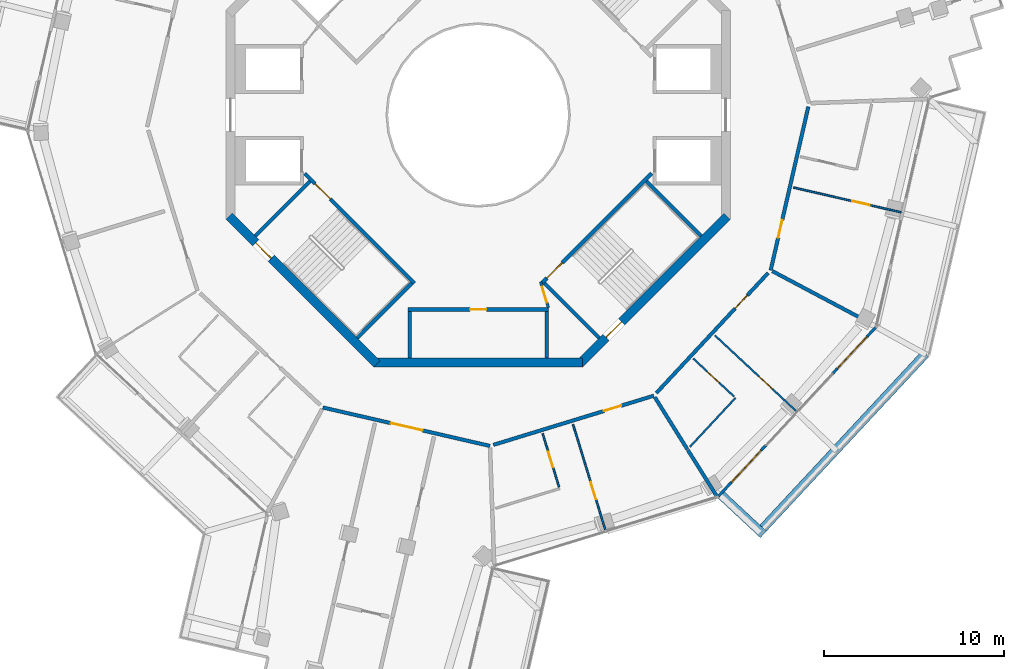
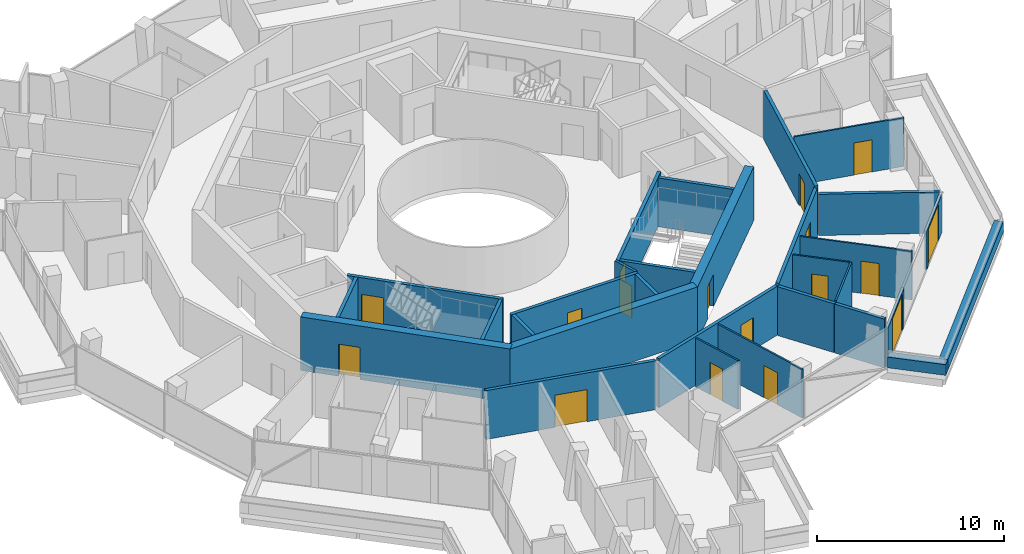
# One storey, part 15 of 21: 30 walls, 17 doors, 17 openings.
"""IFC4 building model written with IfcOpenShell, lengths in metres."""

from ifc_helpers import new_model, si_unit, direction, frame, frame_2d, origin, place, context, subcontext, project, spatial, rectangle, extrude, material, layer, layer_set, type_object, element, fill, save


model = new_model("IFC4")

# Units and contexts
model_context = context("Model", 3, precision=1e-05, world=origin(), true_north=direction((0.0, 1.0)))
body_context = subcontext(model_context, "Body", "Model", "MODEL_VIEW")
ifc_project = project(units=[si_unit("LENGTHUNIT", "METRE"), si_unit("AREAUNIT", "SQUARE_METRE"), si_unit("VOLUMEUNIT", "CUBIC_METRE"), si_unit("PLANEANGLEUNIT", "RADIAN"), si_unit("MASSUNIT", "GRAM", prefix="KILO")], contexts=[model_context])

# Site, building, storey
site_placement = place(None, origin())
site = spatial("IfcSite", under=ifc_project, at=site_placement, CompositionType="ELEMENT")
building_placement = place(site_placement, origin())
building = spatial("IfcBuilding", under=site, at=building_placement, Name="Verdalira Terraces Hotel", CompositionType="ELEMENT")
storey_placement = place(building_placement, frame((0.0, 0.0, 227.0)))
storey = spatial("IfcBuildingStorey", under=building, at=storey_placement, Name="L55", CompositionType="ELEMENT", Elevation=227.0)

# Walls
ifc_material_1 = material(Name="Concrete C40", Category="concrete")
ifc_layer_1 = layer(ifc_material_1, 0.5)
ifc_layer_set_1 = layer_set([ifc_layer_1], Name="Balcony planter trough with tree")
wall_type_1 = type_object("IfcWallType", Name="Balcony planter trough with tree", PredefinedType="SOLIDWALL", material=ifc_layer_set_1)
wall_1_placement = place(storey_placement, frame((13.494385, -21.106445, 0.0), z_axis=(0.0, 0.0, 1.0), x_axis=(0.731844096, -0.681472097, 0.0)))
element("IfcWall", 1, at=wall_1_placement, inside=storey, type_object=wall_type_1, Name="Balcony planter", PredefinedType="SOLIDWALL", context=body_context, shape_type="SweptSolid", body=[
    extrude(rectangle(XDim=3.198975, YDim=0.5, at=frame_2d((1.599609, 0.0))), origin(), (0.0, 0.0, 1.0), 0.699951),
])
wall_2_placement = place(storey_placement, frame((15.822998, -22.933105, 0.0), z_axis=(0.0, 0.0, 1.0), x_axis=(0.681484345, 0.731832691, 0.0)))
element("IfcWall", 2, at=wall_2_placement, inside=storey, type_object=wall_type_1, Name="Balcony planter", PredefinedType="SOLIDWALL", context=body_context, shape_type="SweptSolid", body=[
    extrude(rectangle(XDim=13.223389, YDim=0.5, at=frame_2d((6.611816, 0.0))), origin(), (0.0, 0.0, 1.0), 0.699951),
])

# Wall, opening, door
ifc_material_2 = material(Name="Moisture-resistant gypsum board partition")
ifc_layer_2 = layer(ifc_material_2, 0.10009765625)
ifc_layer_set_2 = layer_set([ifc_layer_2], Name="Bathroom partition 100 mm")
wall_type_2 = type_object("IfcWallType", Name="Bathroom partition 100 mm", PredefinedType="PARTITIONING", material=ifc_layer_set_2)
wall_3_placement = place(storey_placement, frame((4.489746, -20.64917, 0.0), z_axis=(0.0, 0.0, 1.0), x_axis=(-0.293050781, 0.956096878, 0.0)))
wall_3 = element("IfcWall", 3, at=wall_3_placement, inside=storey, type_object=wall_type_2, Name="Bathroom partition", PredefinedType="PARTITIONING", context=body_context, shape_type="SweptSolid", body=[
    extrude(rectangle(XDim=3.099854, YDim=0.100098, at=frame_2d((1.549805, 0.0))), origin(), (0.0, 0.0, 1.0), 3.189941),
])
opening_1_placement = place(wall_3_placement, frame((1.149902, 0.0, 0.0)))
opening_1 = element("IfcOpeningElement", 4, at=opening_1_placement, cuts=wall_3, Name="Opening L55-117", PredefinedType="OPENING", context=body_context, shape_type="SweptSolid", body=[
    extrude(rectangle(XDim=0.899902, YDim=2.100098, at=frame_2d((0.449951, 1.050049))), frame((0.0, 0.060059, 0.0), z_axis=(0.0, -1.0, 0.0), x_axis=(1.0, 0.0, 0.0)), (0.0, 0.0, 1.0), 0.120117),
])
ifc_material_3 = material(Name="Timber door", Category="wood")
door_type_1 = type_object("IfcDoorType", Name="Bathroom door 900 x 2100", OperationType="NOTDEFINED", PredefinedType="DOOR", material=ifc_material_3)
door_1_placement = place(opening_1_placement, origin())
door_1 = element("IfcDoor", 5, at=door_1_placement, inside=storey, type_object=door_type_1, Name="Bathroom door 5506", OperationType="SINGLE_SWING_LEFT", OverallHeight=2.10009765625, OverallWidth=0.89990234375, PredefinedType="DOOR", context=body_context, shape_type="SweptSolid", body=[
    extrude(rectangle(XDim=0.899902, YDim=2.100098, at=frame_2d((0.449951, 1.050049))), frame((0.0, 0.024902, 0.0), z_axis=(0.0, -1.0, 0.0), x_axis=(1.0, 0.0, 0.0)), (0.0, 0.0, 1.0), 0.050049),
])
fill(opening_1, door_1)

wall_4_placement = place(storey_placement, frame((7.064697, -23.050049, 0.0), z_axis=(0.0, 0.0, 1.0), x_axis=(-0.293042397, 0.956099448, 0.0)))
wall_4 = element("IfcWall", 6, at=wall_4_placement, inside=storey, type_object=wall_type_2, Name="Bathroom partition", PredefinedType="PARTITIONING", context=body_context, shape_type="SweptSolid", body=[
    extrude(rectangle(XDim=6.150146, YDim=0.100098, at=frame_2d((3.075195, 0.0))), origin(), (0.0, 0.0, 1.0), 3.189941),
])
opening_2_placement = place(wall_4_placement, frame((1.800049, 0.0, 0.0)))
opening_2 = element("IfcOpeningElement", 7, at=opening_2_placement, cuts=wall_4, Name="Opening L55-116", PredefinedType="OPENING", context=body_context, shape_type="SweptSolid", body=[
    extrude(rectangle(XDim=1.0, YDim=2.100098, at=frame_2d((0.5, 1.050049))), frame((0.0, 0.060059, 0.0), z_axis=(0.0, -1.0, 0.0), x_axis=(1.0, 0.0, 0.0)), (0.0, 0.0, 1.0), 0.120117),
])
ifc_material_4 = material(Name="Timber door", Category="wood")
door_type_2 = type_object("IfcDoorType", Name="Suite internal door 1000 x 2100", OperationType="NOTDEFINED", PredefinedType="DOOR", material=ifc_material_4)
door_2_placement = place(opening_2_placement, origin())
door_2 = element("IfcDoor", 8, at=door_2_placement, inside=storey, type_object=door_type_2, Name="Suite internal door 5506", OperationType="SINGLE_SWING_LEFT", OverallHeight=2.10009765625, OverallWidth=1.0, PredefinedType="DOOR", context=body_context, shape_type="SweptSolid", body=[
    extrude(rectangle(XDim=1.0, YDim=2.100098, at=frame_2d((0.5, 1.050049))), frame((0.0, 0.024902, 0.0), z_axis=(0.0, -1.0, 0.0), x_axis=(1.0, 0.0, 0.0)), (0.0, 0.0, 1.0), 0.050049),
])
fill(opening_2, door_2)

# Wall
wall_5_placement = place(storey_placement, frame((11.761719, -18.416504, 0.0), z_axis=(0.0, 0.0, 1.0), x_axis=(0.681479401, 0.731837295, 0.0)))
element("IfcWall", 9, at=wall_5_placement, inside=storey, type_object=wall_type_2, Name="Bathroom partition", PredefinedType="PARTITIONING", context=body_context, shape_type="SweptSolid", body=[
    extrude(rectangle(XDim=3.703857, YDim=0.100098, at=frame_2d((1.852051, 0.0))), origin(), (0.0, 0.0, 1.0), 3.189941),
])

# Wall, opening, door
wall_6_placement = place(storey_placement, frame((14.212891, -15.637695, 0.0), z_axis=(0.0, 0.0, 1.0), x_axis=(-0.73185876, 0.681456349, 0.0)))
wall_6 = element("IfcWall", 10, at=wall_6_placement, inside=storey, type_object=wall_type_2, Name="Bathroom partition", PredefinedType="PARTITIONING", context=body_context, shape_type="SweptSolid", body=[
    extrude(rectangle(XDim=3.100098, YDim=0.100098, at=frame_2d((1.550049, 0.0))), origin(), (0.0, 0.0, 1.0), 3.189941),
])
opening_3_placement = place(wall_6_placement, frame((1.149902, 0.0, 0.0)))
opening_3 = element("IfcOpeningElement", 11, at=opening_3_placement, cuts=wall_6, Name="Opening L55-120", PredefinedType="OPENING", context=body_context, shape_type="SweptSolid", body=[
    extrude(rectangle(XDim=0.899902, YDim=2.100098, at=frame_2d((0.449951, 1.050049))), frame((0.0, 0.060059, 0.0), z_axis=(0.0, -1.0, 0.0), x_axis=(1.0, 0.0, 0.0)), (0.0, 0.0, 1.0), 0.120117),
])
door_3_placement = place(opening_3_placement, origin())
door_3 = element("IfcDoor", 12, at=door_3_placement, inside=storey, type_object=door_type_1, Name="Bathroom door 5507", OperationType="SINGLE_SWING_LEFT", OverallHeight=2.10009765625, OverallWidth=0.89990234375, PredefinedType="DOOR", context=body_context, shape_type="SweptSolid", body=[
    extrude(rectangle(XDim=0.899902, YDim=2.100098, at=frame_2d((0.449951, 1.050049))), frame((0.0, 0.024902, 0.0), z_axis=(0.0, -1.0, 0.0), x_axis=(1.0, 0.0, 0.0)), (0.0, 0.0, 1.0), 0.050049),
])
fill(opening_3, door_3)

wall_7_placement = place(storey_placement, frame((17.643311, -16.429443, 0.0), z_axis=(0.0, 0.0, 1.0), x_axis=(-0.731845502, 0.681470587, 0.0)))
wall_7 = element("IfcWall", 13, at=wall_7_placement, inside=storey, type_object=wall_type_2, Name="Bathroom partition", PredefinedType="PARTITIONING", context=body_context, shape_type="SweptSolid", body=[
    extrude(rectangle(XDim=6.150146, YDim=0.100098, at=frame_2d((3.075195, 0.0))), origin(), (0.0, 0.0, 1.0), 3.189941),
])
opening_4_placement = place(wall_7_placement, frame((1.800049, 0.0, 0.0)))
opening_4 = element("IfcOpeningElement", 14, at=opening_4_placement, cuts=wall_7, Name="Opening L55-119", PredefinedType="OPENING", context=body_context, shape_type="SweptSolid", body=[
    extrude(rectangle(XDim=1.0, YDim=2.100098, at=frame_2d((0.5, 1.050049))), frame((0.0, 0.060059, 0.0), z_axis=(0.0, -1.0, 0.0), x_axis=(1.0, 0.0, 0.0)), (0.0, 0.0, 1.0), 0.120117),
])
door_4_placement = place(opening_4_placement, origin())
door_4 = element("IfcDoor", 15, at=door_4_placement, inside=storey, type_object=door_type_2, Name="Suite internal door 5507", OperationType="SINGLE_SWING_LEFT", OverallHeight=2.10009765625, OverallWidth=1.0, PredefinedType="DOOR", context=body_context, shape_type="SweptSolid", body=[
    extrude(rectangle(XDim=1.0, YDim=2.100098, at=frame_2d((0.5, 1.050049))), frame((0.0, 0.024902, 0.0), z_axis=(0.0, -1.0, 0.0), x_axis=(1.0, 0.0, 0.0)), (0.0, 0.0, 1.0), 0.050049),
])
fill(opening_4, door_4)

wall_8_placement = place(storey_placement, frame((17.500977, -4.027588, 0.0), z_axis=(0.0, 0.0, 1.0), x_axis=(0.974529511, -0.224259296, 0.0)))
wall_8 = element("IfcWall", 16, at=wall_8_placement, inside=storey, type_object=wall_type_2, Name="Bathroom partition", PredefinedType="PARTITIONING", context=body_context, shape_type="SweptSolid", body=[
    extrude(rectangle(XDim=6.149902, YDim=0.100098, at=frame_2d((3.074951, 0.0))), origin(), (0.0, 0.0, 1.0), 3.189941),
])
opening_5_placement = place(wall_8_placement, frame((3.350098, 0.0, 0.0)))
opening_5 = element("IfcOpeningElement", 17, at=opening_5_placement, cuts=wall_8, Name="Opening L55-122", PredefinedType="OPENING", context=body_context, shape_type="SweptSolid", body=[
    extrude(rectangle(XDim=1.0, YDim=2.100098, at=frame_2d((0.5, 1.050049))), frame((0.0, 0.060059, 0.0), z_axis=(0.0, -1.0, 0.0), x_axis=(1.0, 0.0, 0.0)), (0.0, 0.0, 1.0), 0.120117),
])
door_5_placement = place(opening_5_placement, origin())
door_5 = element("IfcDoor", 18, at=door_5_placement, inside=storey, type_object=door_type_2, Name="Suite internal door 5508", OperationType="SINGLE_SWING_LEFT", OverallHeight=2.10009765625, OverallWidth=1.0, PredefinedType="DOOR", context=body_context, shape_type="SweptSolid", body=[
    extrude(rectangle(XDim=1.0, YDim=2.100098, at=frame_2d((0.5, 1.050049))), frame((0.0, 0.024902, 0.0), z_axis=(0.0, -1.0, 0.0), x_axis=(1.0, 0.0, 0.0)), (0.0, 0.0, 1.0), 0.050049),
])
fill(opening_5, door_5)

ifc_material_5 = material(Name="Concrete C50", Category="concrete")
ifc_layer_3 = layer(ifc_material_5, 0.199951171875)
ifc_layer_set_3 = layer_set([ifc_layer_3], Name="Core RC wall 200 C50")
wall_type_3 = type_object("IfcWallType", Name="Core RC wall 200 C50", PredefinedType="SOLIDWALL", material=ifc_layer_set_3)
wall_9_placement = place(storey_placement, frame((-3.899902, -10.800049, 0.0), z_axis=(0.0, 0.0, 1.0), x_axis=(1.0, 0.0, 0.0)))
wall_9 = element("IfcWall", 19, at=wall_9_placement, inside=storey, type_object=wall_type_3, Name="L55 store front wall", PredefinedType="SOLIDWALL", context=body_context, shape_type="SweptSolid", body=[
    extrude(rectangle(XDim=7.799805, YDim=0.199951, at=frame_2d((3.899902, 0.0))), origin(), (0.0, 0.0, 1.0), 3.189941),
])
opening_6_placement = place(wall_9_placement, frame((3.449951, 0.0, 0.0)))
opening_6 = element("IfcOpeningElement", 20, at=opening_6_placement, cuts=wall_9, Name="Opening L55-801", PredefinedType="OPENING", context=body_context, shape_type="SweptSolid", body=[
    extrude(rectangle(XDim=0.899902, YDim=2.100098, at=frame_2d((0.449951, 1.050049))), frame((0.0, 0.109863, 0.0), z_axis=(0.0, -1.0, 0.0), x_axis=(1.0, 0.0, 0.0)), (0.0, 0.0, 1.0), 0.219971),
])
ifc_material_6 = material(Name="Steel fire door", Category="steel")
door_type_3 = type_object("IfcDoorType", Name="Core room door 900 x 2100", OperationType="NOTDEFINED", PredefinedType="DOOR", material=ifc_material_6)
door_6_placement = place(opening_6_placement, origin())
door_6 = element("IfcDoor", 21, at=door_6_placement, inside=storey, type_object=door_type_3, Name="Store door L55 SS", OperationType="SINGLE_SWING_LEFT", OverallHeight=2.10009765625, OverallWidth=0.89990234375, PredefinedType="DOOR", context=body_context, shape_type="SweptSolid", body=[
    extrude(rectangle(XDim=0.899902, YDim=2.100098, at=frame_2d((0.449951, 1.050049))), frame((0.0, 0.024902, 0.0), z_axis=(0.0, -1.0, 0.0), x_axis=(1.0, 0.0, 0.0)), (0.0, 0.0, 1.0), 0.050049),
])
fill(opening_6, door_6)

# Walls
for number, where, z_axis, x_axis, name in (
    (22, (-3.800049, -10.899902, 0.0), (0.0, 0.0, 1.0), (0.0, -1.0, 0.0), "L55 store side wall"),
    (23, (3.800049, -10.899902, 0.0), (0.0, 0.0, 1.0), (0.0, -1.0, 0.0), "L55 store side wall"),
):
    element("IfcWall", number, at=place(storey_placement, frame(where, z_axis=z_axis, x_axis=x_axis)), inside=storey, type_object=wall_type_3, Name=name, PredefinedType="SOLIDWALL", context=body_context, shape_type="SweptSolid", body=[
        extrude(rectangle(XDim=2.600098, YDim=0.199951, at=frame_2d((1.300049, 0.0))), origin(), (0.0, 0.0, 1.0), 3.189941),
    ])

# Wall, opening, door
wall_10_placement = place(storey_placement, frame((-3.5354, -9.33374, 0.0), z_axis=(0.0, 0.0, 1.0), x_axis=(-0.707120946, 0.707092617, 0.0)))
wall_10 = element("IfcWall", 24, at=wall_10_placement, inside=storey, type_object=wall_type_3, Name="L55 stair ST2 front wall", PredefinedType="SOLIDWALL", context=body_context, shape_type="SweptSolid", body=[
    extrude(rectangle(XDim=8.61792, YDim=0.199951, at=frame_2d((4.309082, 0.0))), origin(), (0.0, 0.0, 1.0), 3.189941),
])
opening_7_placement = place(wall_10_placement, frame((6.600098, 0.0, 0.0)))
opening_7 = element("IfcOpeningElement", 25, at=opening_7_placement, cuts=wall_10, Name="Opening L55-811", PredefinedType="OPENING", context=body_context, shape_type="SweptSolid", body=[
    extrude(rectangle(XDim=1.199951, YDim=2.100098, at=frame_2d((0.600098, 1.050049))), frame((0.0, 0.109863, 0.0), z_axis=(0.0, -1.0, 0.0), x_axis=(1.0, 0.0, 0.0)), (0.0, 0.0, 1.0), 0.219971),
])
ifc_material_7 = material(Name="Steel fire door", Category="steel")
door_type_4 = type_object("IfcDoorType", Name="Stair door 1200 x 2100", OperationType="NOTDEFINED", PredefinedType="DOOR", material=ifc_material_7)
door_7_placement = place(opening_7_placement, origin())
door_7 = element("IfcDoor", 26, at=door_7_placement, inside=storey, type_object=door_type_4, Name="Stair door ST2 L55", OperationType="SINGLE_SWING_RIGHT", OverallHeight=2.10009765625, OverallWidth=1.199951171875, PredefinedType="DOOR", context=body_context, shape_type="SweptSolid", body=[
    extrude(rectangle(XDim=1.199951, YDim=2.100098, at=frame_2d((0.600098, 1.050049))), frame((0.0, 0.024902, 0.0), z_axis=(0.0, -1.0, 0.0), x_axis=(1.0, 0.0, 0.0)), (0.0, 0.0, 1.0), 0.050049),
])
fill(opening_7, door_7)

# Walls
for number, where, z_axis, x_axis, name in (
    (27, (-9.33374, -3.677002, 0.0), (0.0, 0.0, 1.0), (-0.707135168, -0.707078393, 0.0), "L55 stair ST2 end wall 1"),
    (28, (-3.677002, -9.33374, 0.0), (0.0, 0.0, 1.0), (-0.707078393, -0.707135168, 0.0), "L55 stair ST2 end wall 2"),
):
    element("IfcWall", number, at=place(storey_placement, frame(where, z_axis=z_axis, x_axis=x_axis)), inside=storey, type_object=wall_type_3, Name=name, PredefinedType="SOLIDWALL", context=body_context, shape_type="SweptSolid", body=[
        extrude(rectangle(XDim=4.300049, YDim=0.199951, at=frame_2d((2.149902, 0.0))), origin(), (0.0, 0.0, 1.0), 3.189941),
    ])

# Wall, opening, door
wall_11_placement = place(storey_placement, frame((9.629395, -3.23999, 0.0), z_axis=(0.0, 0.0, 1.0), x_axis=(-0.707120946, -0.707092617, 0.0)))
wall_11 = element("IfcWall", 29, at=wall_11_placement, inside=storey, type_object=wall_type_3, Name="L55 stair ST3 front wall", PredefinedType="SOLIDWALL", context=body_context, shape_type="SweptSolid", body=[
    extrude(rectangle(XDim=8.61792, YDim=0.199951, at=frame_2d((4.309082, 0.0))), origin(), (0.0, 0.0, 1.0), 3.189941),
])
opening_8_placement = place(wall_11_placement, frame((7.017822, 0.0, 0.0)))
opening_8 = element("IfcOpeningElement", 30, at=opening_8_placement, cuts=wall_11, Name="Opening L55-812", PredefinedType="OPENING", context=body_context, shape_type="SweptSolid", body=[
    extrude(rectangle(XDim=1.199951, YDim=2.100098, at=frame_2d((0.600098, 1.050049))), frame((0.0, 0.109863, 0.0), z_axis=(0.0, -1.0, 0.0), x_axis=(1.0, 0.0, 0.0)), (0.0, 0.0, 1.0), 0.219971),
])
door_8_placement = place(opening_8_placement, origin())
door_8 = element("IfcDoor", 31, at=door_8_placement, inside=storey, type_object=door_type_4, Name="Stair door ST3 L55", OperationType="SINGLE_SWING_RIGHT", OverallHeight=2.10009765625, OverallWidth=1.199951171875, PredefinedType="DOOR", context=body_context, shape_type="SweptSolid", body=[
    extrude(rectangle(XDim=1.199951, YDim=2.100098, at=frame_2d((0.600098, 1.050049))), frame((0.0, 0.024902, 0.0), z_axis=(0.0, -1.0, 0.0), x_axis=(1.0, 0.0, 0.0)), (0.0, 0.0, 1.0), 0.050049),
])
fill(opening_8, door_8)

# Walls
for number, where, z_axis, x_axis, name in (
    (32, (3.677002, -9.33374, 0.0), (0.0, 0.0, 1.0), (0.707078393, -0.707135168, 0.0), "L55 stair ST3 end wall 1"),
    (33, (9.33374, -3.677002, 0.0), (0.0, 0.0, 1.0), (0.707135168, -0.707078393, 0.0), "L55 stair ST3 end wall 2"),
):
    element("IfcWall", number, at=place(storey_placement, frame(where, z_axis=z_axis, x_axis=x_axis)), inside=storey, type_object=wall_type_3, Name=name, PredefinedType="SOLIDWALL", context=body_context, shape_type="SweptSolid", body=[
        extrude(rectangle(XDim=4.300049, YDim=0.199951, at=frame_2d((2.149902, 0.0))), origin(), (0.0, 0.0, 1.0), 3.189941),
    ])

# Wall, opening, door
ifc_material_8 = material(Name="Gypsum board partition")
ifc_layer_4 = layer(ifc_material_8, 0.14990234375)
ifc_layer_set_4 = layer_set([ifc_layer_4], Name="Core partition 150 mm")
wall_type_4 = type_object("IfcWallType", Name="Core partition 150 mm", PredefinedType="PARTITIONING", material=ifc_layer_set_4)
wall_12_placement = place(storey_placement, frame((3.899902, -10.699951, 0.0), z_axis=(0.0, 0.0, 1.0), x_axis=(-0.289808785, 0.957084567, 0.0)))
wall_12 = element("IfcWall", 34, at=wall_12_placement, inside=storey, type_object=wall_type_4, Name="Room partition L55", PredefinedType="PARTITIONING", context=body_context, shape_type="SweptSolid", body=[
    extrude(rectangle(XDim=1.501221, YDim=0.149902, at=frame_2d((0.750488, 0.0))), origin(), (0.0, 0.0, 1.0), 3.189941),
])
opening_9_placement = place(wall_12_placement, frame((0.300781, 0.0, 0.0)))
opening_9 = element("IfcOpeningElement", 35, at=opening_9_placement, cuts=wall_12, Name="Opening L55-822", PredefinedType="OPENING", context=body_context, shape_type="SweptSolid", body=[
    extrude(rectangle(XDim=0.899902, YDim=2.100098, at=frame_2d((0.449951, 1.050049))), frame((0.0, 0.084961, 0.0), z_axis=(0.0, -1.0, 0.0), x_axis=(1.0, 0.0, 0.0)), (0.0, 0.0, 1.0), 0.169922),
])
door_9_placement = place(opening_9_placement, origin())
door_9 = element("IfcDoor", 36, at=door_9_placement, inside=storey, type_object=door_type_3, Name="Door L55 room6", OperationType="SINGLE_SWING_LEFT", OverallHeight=2.10009765625, OverallWidth=0.89990234375, PredefinedType="DOOR", context=body_context, shape_type="SweptSolid", body=[
    extrude(rectangle(XDim=0.899902, YDim=2.100098, at=frame_2d((0.449951, 1.050049))), frame((0.0, 0.024902, 0.0), z_axis=(0.0, -1.0, 0.0), x_axis=(1.0, 0.0, 0.0)), (0.0, 0.0, 1.0), 0.050049),
])
fill(opening_9, door_9)

ifc_material_9 = material(Name="Concrete C50", Category="concrete")
ifc_layer_5 = layer(ifc_material_9, 0.5)
ifc_layer_set_5 = layer_set([ifc_layer_5], Name="Core wall 500 C50")
wall_type_5 = type_object("IfcWallType", Name="Core wall 500 C50", PredefinedType="SHEAR", material=ifc_layer_set_5)
wall_13_placement = place(storey_placement, frame((-13.823242, -5.622314, 0.0), z_axis=(0.0, 0.0, 1.0), x_axis=(0.707106781, -0.707106781, 0.0)))
wall_13 = element("IfcWall", 37, at=wall_13_placement, inside=storey, type_object=wall_type_5, Name="Core wall CW-L55-6", PredefinedType="SHEAR", context=body_context, shape_type="SweptSolid", body=[
    extrude(rectangle(XDim=11.5979, YDim=0.5, at=frame_2d((5.798828, 0.0))), origin(), (0.0, 0.0, 1.0), 3.5),
])
opening_10_placement = place(wall_13_placement, frame((2.099121, 0.0, 0.0)))
opening_10 = element("IfcOpeningElement", 38, at=opening_10_placement, cuts=wall_13, Name="Opening L55-817", PredefinedType="OPENING", context=body_context, shape_type="SweptSolid", body=[
    extrude(rectangle(XDim=1.199951, YDim=2.100098, at=frame_2d((0.600098, 1.050049))), frame((0.0, 0.26001, 0.0), z_axis=(0.0, -1.0, 0.0), x_axis=(1.0, 0.0, 0.0)), (0.0, 0.0, 1.0), 0.52002),
])
door_10_placement = place(opening_10_placement, origin())
door_10 = element("IfcDoor", 39, at=door_10_placement, inside=storey, type_object=door_type_4, Name="Stair exit door ST2 L55", OperationType="SINGLE_SWING_LEFT", OverallHeight=2.10009765625, OverallWidth=1.199951171875, PredefinedType="DOOR", context=body_context, shape_type="SweptSolid", body=[
    extrude(rectangle(XDim=1.199951, YDim=2.100098, at=frame_2d((0.600098, 1.050049))), frame((0.0, 0.024902, 0.0), z_axis=(0.0, -1.0, 0.0), x_axis=(1.0, 0.0, 0.0)), (0.0, 0.0, 1.0), 0.050049),
])
fill(opening_10, door_10)

# Wall
wall_14_placement = place(storey_placement, frame((-5.799072, -13.75, 0.0), z_axis=(0.0, 0.0, 1.0), x_axis=(1.0, 0.0, 0.0)))
element("IfcWall", 40, at=wall_14_placement, inside=storey, type_object=wall_type_5, Name="Core wall CW-L55-7", PredefinedType="SHEAR", context=body_context, shape_type="SweptSolid", body=[
    extrude(rectangle(XDim=11.598145, YDim=0.5, at=frame_2d((5.799072, 0.0))), origin(), (0.0, 0.0, 1.0), 3.5),
])

# Wall, opening, door
wall_15_placement = place(storey_placement, frame((5.622314, -13.823242, 0.0), z_axis=(0.0, 0.0, 1.0), x_axis=(0.707106781, 0.707106781, 0.0)))
wall_15 = element("IfcWall", 41, at=wall_15_placement, inside=storey, type_object=wall_type_5, Name="Core wall CW-L55-8", PredefinedType="SHEAR", context=body_context, shape_type="SweptSolid", body=[
    extrude(rectangle(XDim=11.5979, YDim=0.5, at=frame_2d((5.798828, 0.0))), origin(), (0.0, 0.0, 1.0), 3.5),
])
opening_11_placement = place(wall_15_placement, frame((2.099121, 0.0, 0.0)))
opening_11 = element("IfcOpeningElement", 42, at=opening_11_placement, cuts=wall_15, Name="Opening L55-818", PredefinedType="OPENING", context=body_context, shape_type="SweptSolid", body=[
    extrude(rectangle(XDim=1.199951, YDim=2.100098, at=frame_2d((0.600098, 1.050049))), frame((0.0, 0.26001, 0.0), z_axis=(0.0, -1.0, 0.0), x_axis=(1.0, 0.0, 0.0)), (0.0, 0.0, 1.0), 0.52002),
])
door_11_placement = place(opening_11_placement, origin())
door_11 = element("IfcDoor", 43, at=door_11_placement, inside=storey, type_object=door_type_4, Name="Stair exit door ST3 L55", OperationType="SINGLE_SWING_LEFT", OverallHeight=2.10009765625, OverallWidth=1.199951171875, PredefinedType="DOOR", context=body_context, shape_type="SweptSolid", body=[
    extrude(rectangle(XDim=1.199951, YDim=2.100098, at=frame_2d((0.600098, 1.050049))), frame((0.0, 0.024902, 0.0), z_axis=(0.0, -1.0, 0.0), x_axis=(1.0, 0.0, 0.0)), (0.0, 0.0, 1.0), 0.050049),
])
fill(opening_11, door_11)

# Walls
ifc_material_10 = material(Name="Fire-rated gypsum board wall")
ifc_layer_6 = layer(ifc_material_10, 0.199951171875)
ifc_layer_set_6 = layer_set([ifc_layer_6], Name="Demising wall 200 mm")
wall_type_6 = type_object("IfcWallType", Name="Demising wall 200 mm", PredefinedType="SOLIDWALL", material=ifc_layer_set_6)
wall_16_placement = place(storey_placement, frame((9.80835, -15.672119, 0.0), z_axis=(0.0, 0.0, 1.0), x_axis=(0.530506006, -0.847681177, 0.0)))
element("IfcWall", 44, at=wall_16_placement, inside=storey, type_object=wall_type_6, Name="Demising wall", PredefinedType="SOLIDWALL", context=body_context, shape_type="SweptSolid", body=[
    extrude(rectangle(XDim=3.418457, YDim=0.199951, at=frame_2d((1.709229, 0.0))), origin(), (0.0, 0.0, 1.0), 3.189941),
])
wall_17_placement = place(storey_placement, frame((11.645996, -18.608887, 0.0), z_axis=(0.0, 0.0, 1.0), x_axis=(0.530523518, -0.847670217, 0.0)))
element("IfcWall", 45, at=wall_17_placement, inside=storey, type_object=wall_type_6, Name="Demising wall", PredefinedType="SOLIDWALL", context=body_context, shape_type="SweptSolid", body=[
    extrude(rectangle(XDim=3.011475, YDim=0.199951, at=frame_2d((1.505859, 0.0))), origin(), (0.0, 0.0, 1.0), 3.189941),
])
ifc_material_11 = material(Name="Fire-rated gypsum board wall")
ifc_layer_7 = layer(ifc_material_11, 0.199951171875)
ifc_layer_set_7 = layer_set([ifc_layer_7], Name="Demising wall 200 mm to beam soffit")
wall_type_7 = type_object("IfcWallType", Name="Demising wall 200 mm to beam soffit", PredefinedType="SOLIDWALL", material=ifc_layer_set_7)
wall_18_placement = place(storey_placement, frame((16.330322, -8.668213, 0.0), z_axis=(0.0, 0.0, 1.0), x_axis=(0.883258213, -0.468886904, 0.0)))
element("IfcWall", 46, at=wall_18_placement, inside=storey, type_object=wall_type_7, Name="Demising wall", PredefinedType="SOLIDWALL", context=body_context, shape_type="SweptSolid", body=[
    extrude(rectangle(XDim=6.47583, YDim=0.199951, at=frame_2d((3.237793, 0.0))), origin(), (0.0, 0.0, 1.0), 2.689941),
])

# Wall, opening, door
ifc_material_12 = material(Name="Fire-rated gypsum board wall")
ifc_layer_8 = layer(ifc_material_12, 0.199951171875)
ifc_layer_set_8 = layer_set([ifc_layer_8], Name="Guest corridor wall 200 mm")
wall_type_8 = type_object("IfcWallType", Name="Guest corridor wall 200 mm", PredefinedType="SOLIDWALL", material=ifc_layer_set_8)
wall_19_placement = place(storey_placement, frame((0.654297, -18.373047, 0.0), z_axis=(0.0, 0.0, 1.0), x_axis=(-0.974527215, 0.224269274, 0.0)))
wall_19 = element("IfcWall", 47, at=wall_19_placement, inside=storey, type_object=wall_type_8, Name="Guest corridor wall", PredefinedType="SOLIDWALL", context=body_context, shape_type="SweptSolid", body=[
    extrude(rectangle(XDim=9.516602, YDim=0.199951, at=frame_2d((4.758301, 0.0))), origin(), (0.0, 0.0, 1.0), 3.189941),
])
opening_12_placement = place(wall_19_placement, frame((3.841553, 0.0, 0.0)))
opening_12 = element("IfcOpeningElement", 48, at=opening_12_placement, cuts=wall_19, Name="Opening L55-111", PredefinedType="OPENING", context=body_context, shape_type="SweptSolid", body=[
    extrude(rectangle(XDim=1.800049, YDim=2.100098, at=frame_2d((0.899902, 1.050049))), frame((0.0, 0.109863, 0.0), z_axis=(0.0, -1.0, 0.0), x_axis=(1.0, 0.0, 0.0)), (0.0, 0.0, 1.0), 0.219971),
])
ifc_material_13 = material(Name="Timber fire door", Category="wood")
door_type_5 = type_object("IfcDoorType", Name="Public room double door 1800 x 2100", OperationType="NOTDEFINED", PredefinedType="DOOR", material=ifc_material_13)
door_12_placement = place(opening_12_placement, origin())
door_12 = element("IfcDoor", 49, at=door_12_placement, inside=storey, type_object=door_type_5, Name="Public room double door 5505", OperationType="DOUBLE_DOOR_SINGLE_SWING", OverallHeight=2.10009765625, OverallWidth=1.800048828125, PredefinedType="DOOR", context=body_context, shape_type="SweptSolid", body=[
    extrude(rectangle(XDim=1.800049, YDim=2.100098, at=frame_2d((0.899902, 1.050049))), frame((0.0, 0.024902, 0.0), z_axis=(0.0, -1.0, 0.0), x_axis=(1.0, 0.0, 0.0)), (0.0, 0.0, 1.0), 0.050049),
])
fill(opening_12, door_12)

wall_20_placement = place(storey_placement, frame((9.753418, -15.584473, 0.0), z_axis=(0.0, 0.0, 1.0), x_axis=(-0.956105904, -0.293021329, 0.0)))
wall_20 = element("IfcWall", 50, at=wall_20_placement, inside=storey, type_object=wall_type_8, Name="Guest corridor wall", PredefinedType="SOLIDWALL", context=body_context, shape_type="SweptSolid", body=[
    extrude(rectangle(XDim=9.31665, YDim=0.199951, at=frame_2d((4.658203, 0.0))), origin(), (0.0, 0.0, 1.0), 3.189941),
])
opening_13_placement = place(wall_20_placement, frame((1.899902, 0.0, 0.0)))
opening_13 = element("IfcOpeningElement", 51, at=opening_13_placement, cuts=wall_20, Name="Opening L55-115", PredefinedType="OPENING", context=body_context, shape_type="SweptSolid", body=[
    extrude(rectangle(XDim=1.0, YDim=2.100098, at=frame_2d((0.5, 1.050049))), frame((0.0, 0.109863, 0.0), z_axis=(0.0, -1.0, 0.0), x_axis=(1.0, 0.0, 0.0)), (0.0, 0.0, 1.0), 0.219971),
])
ifc_material_14 = material(Name="Timber fire door", Category="wood")
door_type_6 = type_object("IfcDoorType", Name="Guest entry door 1000 x 2100", OperationType="NOTDEFINED", PredefinedType="DOOR", material=ifc_material_14)
door_13_placement = place(opening_13_placement, origin())
door_13 = element("IfcDoor", 52, at=door_13_placement, inside=storey, type_object=door_type_6, Name="Guest entry door 5506", OperationType="SINGLE_SWING_LEFT", OverallHeight=2.10009765625, OverallWidth=1.0, PredefinedType="DOOR", context=body_context, shape_type="SweptSolid", body=[
    extrude(rectangle(XDim=1.0, YDim=2.100098, at=frame_2d((0.5, 1.050049))), frame((0.0, 0.024902, 0.0), z_axis=(0.0, -1.0, 0.0), x_axis=(1.0, 0.0, 0.0)), (0.0, 0.0, 1.0), 0.050049),
])
fill(opening_13, door_13)

wall_21_placement = place(storey_placement, frame((16.102539, -8.766113, 0.0), z_axis=(0.0, 0.0, 1.0), x_axis=(-0.681485798, -0.731831338, 0.0)))
wall_21 = element("IfcWall", 53, at=wall_21_placement, inside=storey, type_object=wall_type_8, Name="Guest corridor wall", PredefinedType="SOLIDWALL", context=body_context, shape_type="SweptSolid", body=[
    extrude(rectangle(XDim=9.116699, YDim=0.199951, at=frame_2d((4.55835, 0.0))), origin(), (0.0, 0.0, 1.0), 3.189941),
])
opening_14_placement = place(wall_21_placement, frame((1.699951, 0.0, 0.0)))
opening_14 = element("IfcOpeningElement", 54, at=opening_14_placement, cuts=wall_21, Name="Opening L55-118", PredefinedType="OPENING", context=body_context, shape_type="SweptSolid", body=[
    extrude(rectangle(XDim=1.0, YDim=2.100098, at=frame_2d((0.5, 1.050049))), frame((0.0, 0.109863, 0.0), z_axis=(0.0, -1.0, 0.0), x_axis=(1.0, 0.0, 0.0)), (0.0, 0.0, 1.0), 0.219971),
])
door_14_placement = place(opening_14_placement, origin())
door_14 = element("IfcDoor", 55, at=door_14_placement, inside=storey, type_object=door_type_6, Name="Guest entry door 5507", OperationType="SINGLE_SWING_LEFT", OverallHeight=2.10009765625, OverallWidth=1.0, PredefinedType="DOOR", context=body_context, shape_type="SweptSolid", body=[
    extrude(rectangle(XDim=1.0, YDim=2.100098, at=frame_2d((0.5, 1.050049))), frame((0.0, 0.024902, 0.0), z_axis=(0.0, -1.0, 0.0), x_axis=(1.0, 0.0, 0.0)), (0.0, 0.0, 1.0), 0.050049),
])
fill(opening_14, door_14)

wall_22_placement = place(storey_placement, frame((18.328369, 0.459473, 0.0), z_axis=(0.0, 0.0, 1.0), x_axis=(-0.224285322, -0.974523522, 0.0)))
wall_22 = element("IfcWall", 56, at=wall_22_placement, inside=storey, type_object=wall_type_8, Name="Guest corridor wall", PredefinedType="SOLIDWALL", context=body_context, shape_type="SweptSolid", body=[
    extrude(rectangle(XDim=9.31665, YDim=0.199951, at=frame_2d((4.658203, 0.0))), origin(), (0.0, 0.0, 1.0), 3.189941),
])
opening_15_placement = place(wall_22_placement, frame((6.458252, 0.0, 0.0)))
opening_15 = element("IfcOpeningElement", 57, at=opening_15_placement, cuts=wall_22, Name="Opening L55-121", PredefinedType="OPENING", context=body_context, shape_type="SweptSolid", body=[
    extrude(rectangle(XDim=1.0, YDim=2.100098, at=frame_2d((0.5, 1.050049))), frame((0.0, 0.109863, 0.0), z_axis=(0.0, -1.0, 0.0), x_axis=(1.0, 0.0, 0.0)), (0.0, 0.0, 1.0), 0.219971),
])
door_15_placement = place(opening_15_placement, origin())
door_15 = element("IfcDoor", 58, at=door_15_placement, inside=storey, type_object=door_type_6, Name="Guest entry door 5508", OperationType="SINGLE_SWING_LEFT", OverallHeight=2.10009765625, OverallWidth=1.0, PredefinedType="DOOR", context=body_context, shape_type="SweptSolid", body=[
    extrude(rectangle(XDim=1.0, YDim=2.100098, at=frame_2d((0.5, 1.050049))), frame((0.0, 0.024902, 0.0), z_axis=(0.0, -1.0, 0.0), x_axis=(1.0, 0.0, 0.0)), (0.0, 0.0, 1.0), 0.050049),
])
fill(opening_15, door_15)

ifc_material_15 = material(Name="Terracotta cladding", Category="masonry")
ifc_layer_9 = layer(ifc_material_15, 0.14990234375)
ifc_layer_set_9 = layer_set([ifc_layer_9], Name="Terracotta door pier 150")
wall_type_9 = type_object("IfcWallType", Name="Terracotta door pier 150", PredefinedType="SOLIDWALL", material=ifc_layer_set_9)
wall_23_placement = place(storey_placement, frame((13.33667, -21.164307, 0.0), z_axis=(0.0, 0.0, 1.0), x_axis=(0.681473392, 0.73184289, 0.0)))
wall_23 = element("IfcWall", 59, at=wall_23_placement, inside=storey, type_object=wall_type_9, Name="Terracotta door pier", PredefinedType="SOLIDWALL", context=body_context, shape_type="SweptSolid", body=[
    extrude(rectangle(XDim=3.863037, YDim=0.149902, at=frame_2d((1.931641, 0.0))), origin(), (0.0, 0.0, 1.0), 2.524902),
])
opening_16_placement = place(wall_23_placement, frame((1.062988, 0.0, 0.0)))
opening_16 = element("IfcOpeningElement", 60, at=opening_16_placement, cuts=wall_23, Name="Opening L55-B08", PredefinedType="OPENING", context=body_context, shape_type="SweptSolid", body=[
    extrude(rectangle(XDim=2.399902, YDim=2.399902, at=frame_2d((1.199951, 1.199951))), frame((0.0, 0.084961, 0.0), z_axis=(0.0, -1.0, 0.0), x_axis=(1.0, 0.0, 0.0)), (0.0, 0.0, 1.0), 0.169922),
])
ifc_material_16 = material(Name="Clear glass", Category="glass")
door_type_7 = type_object("IfcDoorType", Name="Balcony sliding door 2400x2400", OperationType="NOTDEFINED", PredefinedType="DOOR", material=ifc_material_16)
door_16_placement = place(opening_16_placement, origin())
door_16 = element("IfcDoor", 61, at=door_16_placement, inside=storey, type_object=door_type_7, Name="Balcony sliding door", OperationType="SLIDING_TO_LEFT", OverallHeight=2.39990234375, OverallWidth=2.39990234375, PredefinedType="DOOR", context=body_context, shape_type="SweptSolid", body=[
    extrude(rectangle(XDim=2.399902, YDim=2.399902, at=frame_2d((1.199951, 1.199951))), frame((0.0, 0.024902, 0.0), z_axis=(0.0, -1.0, 0.0), x_axis=(1.0, 0.0, 0.0)), (0.0, 0.0, 1.0), 0.050049),
])
fill(opening_16, door_16)

wall_24_placement = place(storey_placement, frame((19.671387, -14.361328, 0.0), z_axis=(0.0, 0.0, 1.0), x_axis=(0.681543353, 0.731777738, 0.0)))
wall_24 = element("IfcWall", 62, at=wall_24_placement, inside=storey, type_object=wall_type_9, Name="Terracotta door pier", PredefinedType="SOLIDWALL", context=body_context, shape_type="SweptSolid", body=[
    extrude(rectangle(XDim=3.50415, YDim=0.149902, at=frame_2d((1.751953, 0.0))), origin(), (0.0, 0.0, 1.0), 2.524902),
])
opening_17_placement = place(wall_24_placement, frame((0.399902, 0.0, 0.0)))
opening_17 = element("IfcOpeningElement", 63, at=opening_17_placement, cuts=wall_24, Name="Opening L55-B09", PredefinedType="OPENING", context=body_context, shape_type="SweptSolid", body=[
    extrude(rectangle(XDim=2.399902, YDim=2.399902, at=frame_2d((1.199951, 1.199951))), frame((0.0, 0.084961, 0.0), z_axis=(0.0, -1.0, 0.0), x_axis=(1.0, 0.0, 0.0)), (0.0, 0.0, 1.0), 0.169922),
])
door_17_placement = place(opening_17_placement, origin())
door_17 = element("IfcDoor", 64, at=door_17_placement, inside=storey, type_object=door_type_7, Name="Balcony sliding door", OperationType="SLIDING_TO_RIGHT", OverallHeight=2.39990234375, OverallWidth=2.39990234375, PredefinedType="DOOR", context=body_context, shape_type="SweptSolid", body=[
    extrude(rectangle(XDim=2.399902, YDim=2.399902, at=frame_2d((1.199951, 1.199951))), frame((0.0, 0.024902, 0.0), z_axis=(0.0, -1.0, 0.0), x_axis=(1.0, 0.0, 0.0)), (0.0, 0.0, 1.0), 0.050049),
])
fill(opening_17, door_17)

save(model, "model.ifc")
